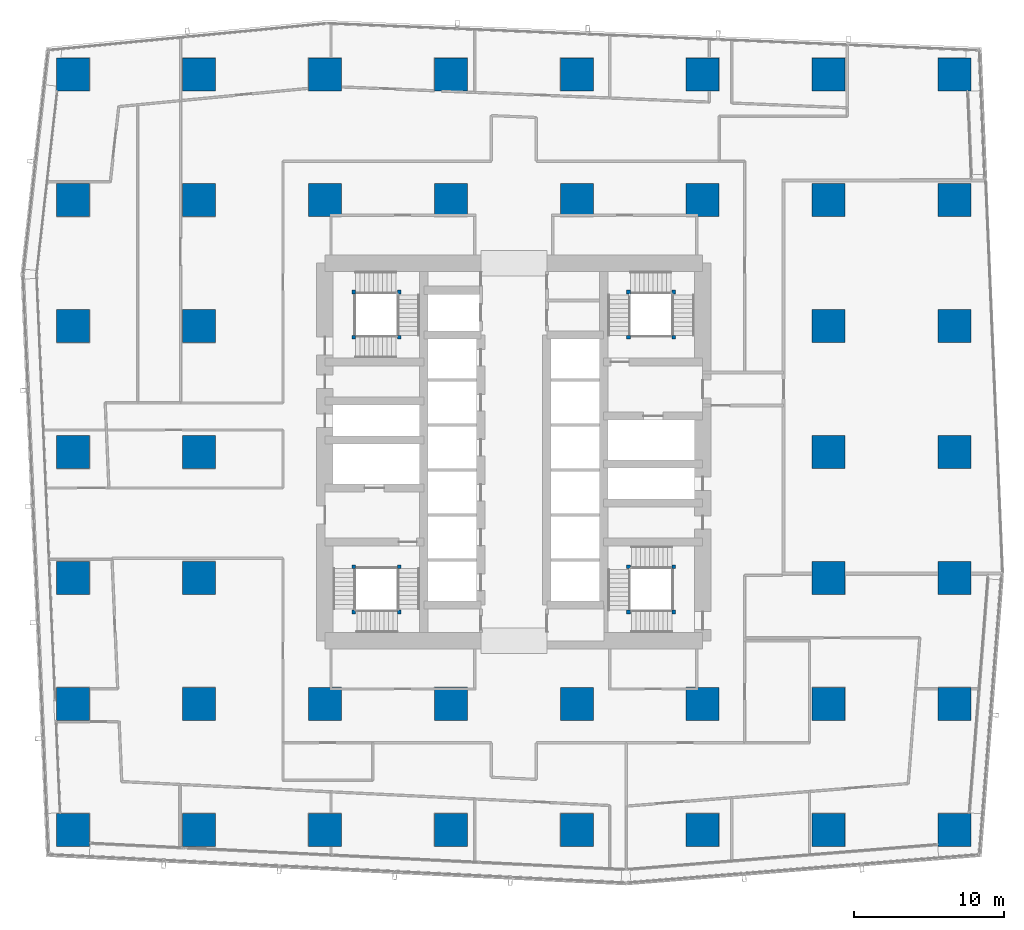
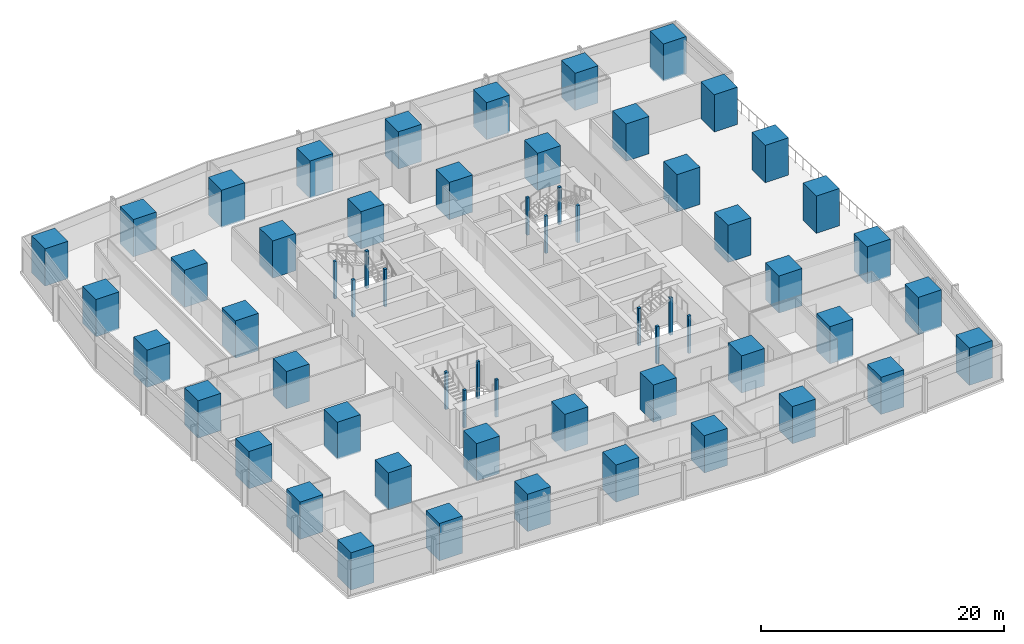
# One storey, part 1 of 42: 60 columns.
"""IFC4 building model written with IfcOpenShell, lengths in metres."""

from ifc_helpers import new_model, si_unit, direction, frame, origin, origin_2d, place, context, subcontext, project, spatial, rectangle, extrude, material, material_profile, profile_set, type_object, element, save


model = new_model("IFC4")

# Units and contexts
model_context = context("Model", 3, precision=1e-05, world=origin(), true_north=direction((0.0, 1.0)))
body_context = subcontext(model_context, "Body", "Model", "MODEL_VIEW")
ifc_project = project(units=[si_unit("LENGTHUNIT", "METRE"), si_unit("AREAUNIT", "SQUARE_METRE"), si_unit("VOLUMEUNIT", "CUBIC_METRE"), si_unit("PLANEANGLEUNIT", "RADIAN"), si_unit("MASSUNIT", "GRAM", prefix="KILO")], contexts=[model_context])

# Site, building, storey
site_placement = place(None, origin())
site = spatial("IfcSite", under=ifc_project, at=site_placement, CompositionType="ELEMENT")
building_placement = place(site_placement, origin())
building = spatial("IfcBuilding", under=site, at=building_placement, Name="Rekha Terrace Tower", CompositionType="ELEMENT")
storey_placement = place(building_placement, frame((0.0, 0.0, 40.39990234375)))
storey = spatial("IfcBuildingStorey", under=building, at=storey_placement, Name="L09", CompositionType="ELEMENT", Elevation=40.39990234375)

# Columns
ifc_material_1 = material(Name="Concrete M70", Category="concrete")
ifc_material_profile_1 = material_profile(ifc_material_1, rectangle(XDim=2.199951171875, YDim=2.199951171875, at=origin_2d()), Name="RC 2200x2200")
ifc_profile_set_1 = profile_set([ifc_material_profile_1], Name="Concrete M70")
column_type_1 = type_object("IfcColumnType", Name="C2 2200x2200 column", PredefinedType="COLUMN", material=ifc_profile_set_1)
for number, where, z_axis, x_axis, name in (
    (1, (8.39990234375, 8.39990234375, 0.0), (0.0, 0.0, 1.0), (1.0, 0.0, 0.0), "Column C2 2/B L09"),
    (2, (8.39990234375, 16.800048828125, 0.0), (0.0, 0.0, 1.0), (1.0, 0.0, 0.0), "Column C2 2/C L09"),
    (3, (8.39990234375, 25.199951171875, 0.0), (0.0, 0.0, 1.0), (1.0, 0.0, 0.0), "Column C2 2/D L09"),
    (4, (8.39990234375, 33.60009765625, 0.0), (0.0, 0.0, 1.0), (1.0, 0.0, 0.0), "Column C2 2/E L09"),
    (5, (8.39990234375, 42.0, 0.0), (0.0, 0.0, 1.0), (1.0, 0.0, 0.0), "Column C2 2/F L09"),
    (6, (8.39990234375, 50.39990234375, 0.0), (0.0, 0.0, 1.0), (1.0, 0.0, 0.0), "Column C2 2/G L09"),
    (7, (8.39990234375, 58.800048828125, 0.0), (0.0, 0.0, 1.0), (1.0, 0.0, 0.0), "Column C2 2/H L09"),
    (8, (16.800048828125, 8.39990234375, 0.0), (0.0, 0.0, 1.0), (1.0, 0.0, 0.0), "Column C2 3/B L09"),
    (9, (16.800048828125, 16.800048828125, 0.0), (0.0, 0.0, 1.0), (1.0, 0.0, 0.0), "Column C2 3/C L09"),
    (10, (16.800048828125, 25.199951171875, 0.0), (0.0, 0.0, 1.0), (1.0, 0.0, 0.0), "Column C2 3/D L09"),
    (11, (16.800048828125, 33.60009765625, 0.0), (0.0, 0.0, 1.0), (1.0, 0.0, 0.0), "Column C2 3/E L09"),
    (12, (16.800048828125, 42.0, 0.0), (0.0, 0.0, 1.0), (1.0, 0.0, 0.0), "Column C2 3/F L09"),
    (13, (16.800048828125, 50.39990234375, 0.0), (0.0, 0.0, 1.0), (1.0, 0.0, 0.0), "Column C2 3/G L09"),
    (14, (16.800048828125, 58.800048828125, 0.0), (0.0, 0.0, 1.0), (1.0, 0.0, 0.0), "Column C2 3/H L09"),
    (15, (25.199951171875, 8.39990234375, 0.0), (0.0, 0.0, 1.0), (1.0, 0.0, 0.0), "Column C2 4/B L09"),
    (16, (25.199951171875, 16.800048828125, 0.0), (0.0, 0.0, 1.0), (1.0, 0.0, 0.0), "Column C2 4/C L09"),
    (17, (25.199951171875, 50.39990234375, 0.0), (0.0, 0.0, 1.0), (1.0, 0.0, 0.0), "Column C2 4/G L09"),
    (18, (25.199951171875, 58.800048828125, 0.0), (0.0, 0.0, 1.0), (1.0, 0.0, 0.0), "Column C2 4/H L09"),
    (19, (33.60009765625, 8.39990234375, 0.0), (0.0, 0.0, 1.0), (1.0, 0.0, 0.0), "Column C2 5/B L09"),
    (20, (33.60009765625, 16.800048828125, 0.0), (0.0, 0.0, 1.0), (1.0, 0.0, 0.0), "Column C2 5/C L09"),
    (21, (33.60009765625, 50.39990234375, 0.0), (0.0, 0.0, 1.0), (1.0, 0.0, 0.0), "Column C2 5/G L09"),
    (22, (33.60009765625, 58.800048828125, 0.0), (0.0, 0.0, 1.0), (1.0, 0.0, 0.0), "Column C2 5/H L09"),
    (23, (42.0, 8.39990234375, 0.0), (0.0, 0.0, 1.0), (1.0, 0.0, 0.0), "Column C2 6/B L09"),
    (24, (42.0, 16.800048828125, 0.0), (0.0, 0.0, 1.0), (1.0, 0.0, 0.0), "Column C2 6/C L09"),
    (25, (42.0, 50.39990234375, 0.0), (0.0, 0.0, 1.0), (1.0, 0.0, 0.0), "Column C2 6/G L09"),
    (26, (42.0, 58.800048828125, 0.0), (0.0, 0.0, 1.0), (1.0, 0.0, 0.0), "Column C2 6/H L09"),
    (27, (50.39990234375, 8.39990234375, 0.0), (0.0, 0.0, 1.0), (1.0, 0.0, 0.0), "Column C2 7/B L09"),
    (28, (50.39990234375, 16.800048828125, 0.0), (0.0, 0.0, 1.0), (1.0, 0.0, 0.0), "Column C2 7/C L09"),
    (29, (50.39990234375, 50.39990234375, 0.0), (0.0, 0.0, 1.0), (1.0, 0.0, 0.0), "Column C2 7/G L09"),
    (30, (50.39990234375, 58.800048828125, 0.0), (0.0, 0.0, 1.0), (1.0, 0.0, 0.0), "Column C2 7/H L09"),
    (31, (58.800048828125, 8.39990234375, 0.0), (0.0, 0.0, 1.0), (1.0, 0.0, 0.0), "Column C2 8/B L09"),
    (32, (58.800048828125, 16.800048828125, 0.0), (0.0, 0.0, 1.0), (1.0, 0.0, 0.0), "Column C2 8/C L09"),
    (33, (58.800048828125, 25.199951171875, 0.0), (0.0, 0.0, 1.0), (1.0, 0.0, 0.0), "Column C2 8/D L09"),
    (34, (58.800048828125, 33.60009765625, 0.0), (0.0, 0.0, 1.0), (1.0, 0.0, 0.0), "Column C2 8/E L09"),
    (35, (58.800048828125, 42.0, 0.0), (0.0, 0.0, 1.0), (1.0, 0.0, 0.0), "Column C2 8/F L09"),
    (36, (58.800048828125, 50.39990234375, 0.0), (0.0, 0.0, 1.0), (1.0, 0.0, 0.0), "Column C2 8/G L09"),
    (37, (58.800048828125, 58.800048828125, 0.0), (0.0, 0.0, 1.0), (1.0, 0.0, 0.0), "Column C2 8/H L09"),
    (38, (67.199951171875, 8.39990234375, 0.0), (0.0, 0.0, 1.0), (1.0, 0.0, 0.0), "Column C2 9/B L09"),
    (39, (67.199951171875, 16.800048828125, 0.0), (0.0, 0.0, 1.0), (1.0, 0.0, 0.0), "Column C2 9/C L09"),
    (40, (67.199951171875, 25.199951171875, 0.0), (0.0, 0.0, 1.0), (1.0, 0.0, 0.0), "Column C2 9/D L09"),
    (41, (67.199951171875, 33.60009765625, 0.0), (0.0, 0.0, 1.0), (1.0, 0.0, 0.0), "Column C2 9/E L09"),
    (42, (67.199951171875, 42.0, 0.0), (0.0, 0.0, 1.0), (1.0, 0.0, 0.0), "Column C2 9/F L09"),
    (43, (67.199951171875, 50.39990234375, 0.0), (0.0, 0.0, 1.0), (1.0, 0.0, 0.0), "Column C2 9/G L09"),
    (44, (67.199951171875, 58.800048828125, 0.0), (0.0, 0.0, 1.0), (1.0, 0.0, 0.0), "Column C2 9/H L09"),
):
    element("IfcColumn", number, at=place(storey_placement, frame(where, z_axis=z_axis, x_axis=x_axis)), inside=storey, type_object=column_type_1, Name=name, PredefinedType="COLUMN", context=body_context, shape_type="SweptSolid", body=[
        extrude(rectangle(XDim=2.199951171875, YDim=2.199951171875, at=origin_2d()), origin(), (0.0, 0.0, 1.0), 3.75),
    ])
ifc_material_2 = material(Name="Concrete M60", Category="concrete")
ifc_material_profile_2 = material_profile(ifc_material_2, rectangle(XDim=0.25, YDim=0.25, at=origin_2d()), Name="RC 250x250")
ifc_profile_set_2 = profile_set([ifc_material_profile_2], Name="Concrete M60")
column_type_2 = type_object("IfcColumnType", Name="NP1 250x250 stair newel post", PredefinedType="COLUMN", material=ifc_profile_set_2)
for number, where, z_axis, x_axis, name in (
    (45, (30.14990234375, 25.949951171875, 0.0), (0.0, 0.0, 1.0), (1.0, 0.0, 0.0), "Stair newel post NP1"),
    (46, (30.14990234375, 22.925048828125, 0.0), (0.0, 0.0, 1.0), (1.0, 0.0, 0.0), "Stair newel post NP1"),
    (47, (27.125, 22.925048828125, 0.0), (0.0, 0.0, 1.0), (1.0, 0.0, 0.0), "Stair newel post NP1"),
    (48, (27.125, 25.949951171875, 0.0), (0.0, 0.0, 1.0), (1.0, 0.0, 0.0), "Stair newel post NP1"),
    (49, (45.449951171875, 41.25, 0.0), (0.0, 0.0, 1.0), (1.0, 0.0, 0.0), "Stair newel post NP1"),
    (50, (45.449951171875, 44.27490234375, 0.0), (0.0, 0.0, 1.0), (1.0, 0.0, 0.0), "Stair newel post NP1"),
    (51, (48.47509765625, 44.27490234375, 0.0), (0.0, 0.0, 1.0), (1.0, 0.0, 0.0), "Stair newel post NP1"),
    (52, (48.47509765625, 41.25, 0.0), (0.0, 0.0, 1.0), (1.0, 0.0, 0.0), "Stair newel post NP1"),
    (53, (48.47509765625, 22.925048828125, 0.0), (0.0, 0.0, 1.0), (1.0, 0.0, 0.0), "Stair newel post NP1"),
    (54, (45.449951171875, 22.925048828125, 0.0), (0.0, 0.0, 1.0), (1.0, 0.0, 0.0), "Stair newel post NP1"),
    (55, (45.449951171875, 25.949951171875, 0.0), (0.0, 0.0, 1.0), (1.0, 0.0, 0.0), "Stair newel post NP1"),
    (56, (48.47509765625, 25.949951171875, 0.0), (0.0, 0.0, 1.0), (1.0, 0.0, 0.0), "Stair newel post NP1"),
    (57, (27.125, 41.25, 0.0), (0.0, 0.0, 1.0), (1.0, 0.0, 0.0), "Stair newel post NP1"),
    (58, (30.14990234375, 41.25, 0.0), (0.0, 0.0, 1.0), (1.0, 0.0, 0.0), "Stair newel post NP1"),
    (59, (30.14990234375, 44.27490234375, 0.0), (0.0, 0.0, 1.0), (1.0, 0.0, 0.0), "Stair newel post NP1"),
    (60, (27.125, 44.27490234375, 0.0), (0.0, 0.0, 1.0), (1.0, 0.0, 0.0), "Stair newel post NP1"),
):
    element("IfcColumn", number, at=place(storey_placement, frame(where, z_axis=z_axis, x_axis=x_axis)), inside=storey, type_object=column_type_2, Name=name, PredefinedType="COLUMN", context=body_context, shape_type="SweptSolid", body=[
        extrude(rectangle(XDim=0.25, YDim=0.25, at=origin_2d()), origin(), (0.0, 0.0, 1.0), 3.75),
    ])

save(model, "model.ifc")
